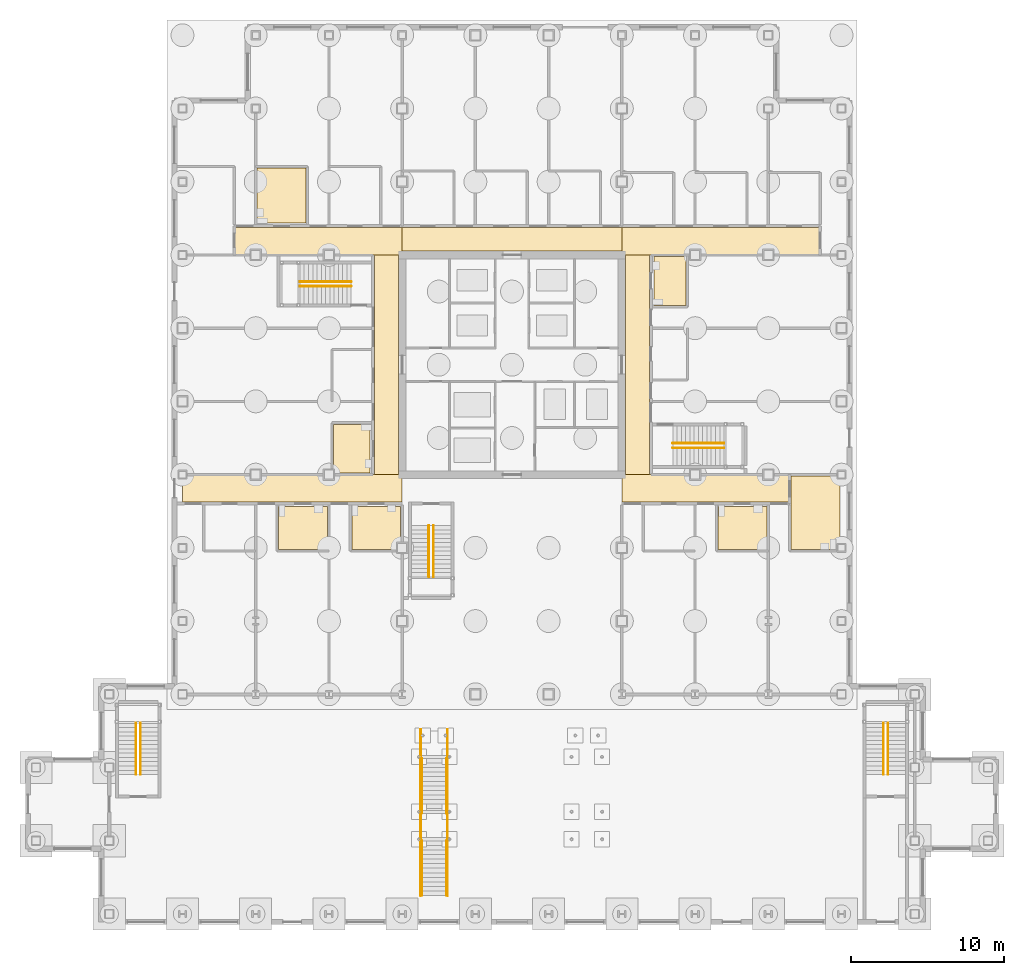
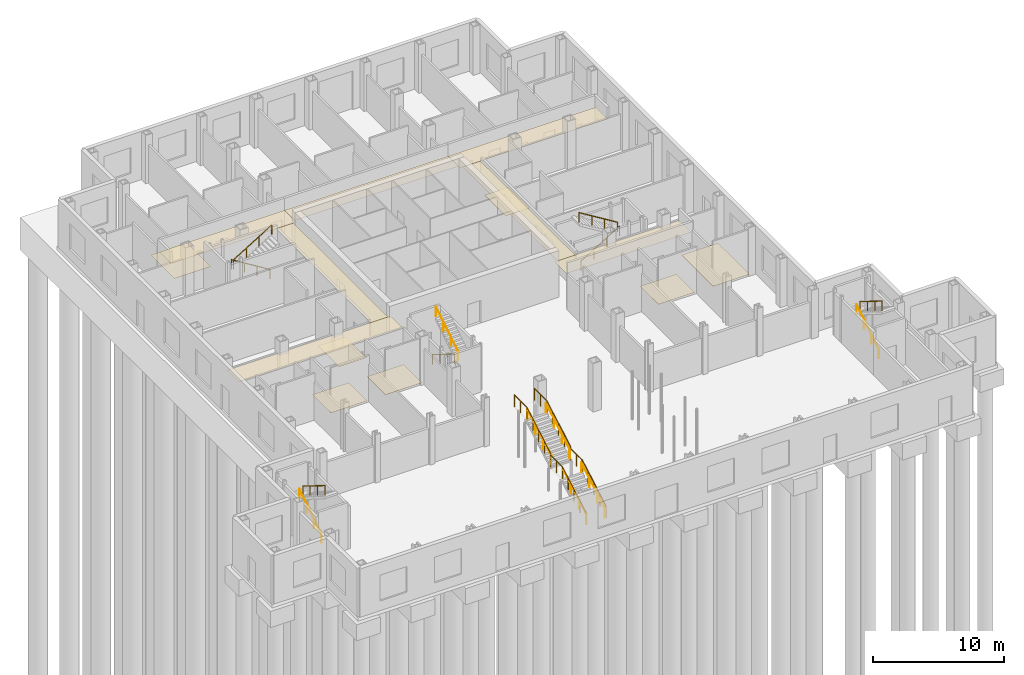
# One storey, part 20 of 22: 22 railings, 14 coverings.
"""IFC4 building model written with IfcOpenShell, lengths in metres."""

import ifcopenshell
import ifcopenshell.guid

model = None  # the IFC model being written
_history = None  # IfcOwnerHistory: only IFC2X3 demands one
_inside = {}  # id of a spatial element -> (the spatial element, [elements in it])
_under = {}  # id of a project, library or spatial element -> (it, [spatial elements below it])
_declared = {}  # id of a project -> (the project, [libraries it declares])
_typed = {}  # id of a type object -> (the type object, [elements of that type])
_made_of = {}  # id of a material, layer set ... -> (it, [elements and type objects made of it])


def new_model(schema):
    """Start an empty IFC model of exactly this schema.

    Asked for "IFC4X3", IfcOpenShell would pick the latest addendum, in which some entities
    have other attributes; the version numbers below select the first issue.
    IFC2X3 requires an IfcOwnerHistory on every rooted entity: one is made here for all.
    """
    global model, _history
    if schema == "IFC4X3":
        model = ifcopenshell.file(schema_version=(4, 3, 0, 0))
    else:
        model = ifcopenshell.file(schema=schema)
    _inside.clear()
    _under.clear()
    _declared.clear()
    _typed.clear()
    _made_of.clear()
    _history = None
    if model.schema == "IFC2X3":
        org = make("IfcOrganization", Name="unknown")
        user = make(
            "IfcPersonAndOrganization",
            ThePerson=make("IfcPerson", FamilyName="unknown"),
            TheOrganization=org,
        )
        app = make(
            "IfcApplication",
            ApplicationDeveloper=org,
            Version="unknown",
            ApplicationFullName="unknown",
            ApplicationIdentifier="unknown",
        )
        _history = make(
            "IfcOwnerHistory",
            OwningUser=user,
            OwningApplication=app,
            ChangeAction="ADDED",
            CreationDate=0,
        )
    return model


def make(cls, **values):
    """One entity of the class cls with the attributes given. An attribute that is None is left unset."""
    return model.create_entity(
        cls, **{name: value for name, value in values.items() if value is not None}
    )


def rooted(cls, **values):
    """An entity with a GlobalId (a new one), such as an element, a storey or a relation."""
    return make(cls, GlobalId=ifcopenshell.guid.new(), OwnerHistory=_history, **values)


def si_unit(unit_type, name, prefix=None):
    """IfcSIUnit, for example si_unit("LENGTHUNIT", "METRE", prefix="MILLI")."""
    return make("IfcSIUnit", UnitType=unit_type, Prefix=prefix, Name=name)


def assignment(units):
    """IfcUnitAssignment: the units of a project."""
    return None if units is None else make("IfcUnitAssignment", Units=units)


def point(xyz):
    """IfcCartesianPoint."""
    return None if xyz is None else make("IfcCartesianPoint", Coordinates=xyz)


def direction(xyz):
    """IfcDirection."""
    return None if xyz is None else make("IfcDirection", DirectionRatios=xyz)


def frame(location, z_axis=None, x_axis=None):
    """IfcAxis2Placement3D, a coordinate frame: its origin and axes. An axis left out is left unset."""
    return make(
        "IfcAxis2Placement3D",
        Location=point(location),
        Axis=direction(z_axis),
        RefDirection=direction(x_axis),
    )


def frame_2d(location, x_axis=None):
    """IfcAxis2Placement2D, a coordinate frame in the plane: its origin and x axis."""
    return make(
        "IfcAxis2Placement2D", Location=point(location), RefDirection=direction(x_axis)
    )


def origin():
    """The frame at (0, 0, 0) with its axes left unset."""
    return frame((0.0, 0.0, 0.0))


def origin_2d():
    """The frame at (0, 0) in the plane with its x axis left unset."""
    return frame_2d((0.0, 0.0))


def place(relative_to, where):
    """IfcLocalPlacement: puts the frame where relative to a parent placement (None: the world)."""
    return make(
        "IfcLocalPlacement", PlacementRelTo=relative_to, RelativePlacement=where
    )


def context(
    kind, dimensions, precision=None, world=None, true_north=None, identifier=None
):
    """IfcGeometricRepresentationContext, for example the 3D "Model" context."""
    return make(
        "IfcGeometricRepresentationContext",
        ContextIdentifier=identifier,
        ContextType=kind,
        CoordinateSpaceDimension=dimensions,
        Precision=precision,
        WorldCoordinateSystem=world,
        TrueNorth=true_north,
    )


def subcontext(parent, identifier, kind, view, scale=None):
    """IfcGeometricRepresentationSubContext, for example "Body" below "Model"."""
    return make(
        "IfcGeometricRepresentationSubContext",
        ContextIdentifier=identifier,
        ContextType=kind,
        ParentContext=parent,
        TargetScale=scale,
        TargetView=view,
    )


def project(units=None, contexts=None):
    """IfcProject with its units and contexts."""
    return rooted(
        "IfcProject",
        Name="project",
        RepresentationContexts=contexts,
        UnitsInContext=assignment(units),
    )


def spatial(cls, under=None, at=None, **own):
    """A site, building, storey or space (cls), placed at a placement, below another one or the project."""
    s = rooted(cls, ObjectPlacement=at, **own)
    if under is not None:
        _under.setdefault(under.id(), (under, []))[1].append(s)
    return s


def polyline(points):
    """IfcPolyline through the points."""
    return make("IfcPolyline", Points=[point(p) for p in points])


def profile(cls, at=None, kind="AREA", **sizes):
    """A parametric profile (cls). Its sizes go by their IFC names, for example OverallWidth=200.0."""
    return make(cls, ProfileType=kind, Position=at, **sizes)


def circle(**sizes):
    """IfcCircleProfileDef."""
    return profile("IfcCircleProfileDef", **sizes)


def outline(outer, holes=None, kind="AREA"):
    """IfcArbitraryClosedProfileDef: a profile drawn as a closed curve; with holes, ...WithVoids."""
    if holes is None:
        return make("IfcArbitraryClosedProfileDef", ProfileType=kind, OuterCurve=outer)
    return make(
        "IfcArbitraryProfileDefWithVoids",
        ProfileType=kind,
        OuterCurve=outer,
        InnerCurves=holes,
    )


def extrude(swept, where, along, depth):
    """IfcExtrudedAreaSolid: the profile swept, set in the frame where, extruded along a direction by depth."""
    return make(
        "IfcExtrudedAreaSolid",
        SweptArea=swept,
        Position=where,
        ExtrudedDirection=direction(along),
        Depth=depth,
    )


def shape(context_of_items, identifier, shape_type, items):
    """IfcShapeRepresentation: the items that make up one representation, for example the "Body"."""
    return make(
        "IfcShapeRepresentation",
        ContextOfItems=context_of_items,
        RepresentationIdentifier=identifier,
        RepresentationType=shape_type,
        Items=items,
    )


def material(Name=None, Category=None):
    """IfcMaterial."""
    return make("IfcMaterial", Name=Name, Category=Category)


def layer(
    of_material, thickness, ventilated=None, Name=None, Category=None, Priority=None
):
    """IfcMaterialLayer: one layer of a wall or slab, of a material (None: an air gap)."""
    return make(
        "IfcMaterialLayer",
        Material=of_material,
        LayerThickness=thickness,
        IsVentilated=ventilated,
        Name=Name,
        Category=Category,
        Priority=Priority,
    )


def layer_set(layers, Name=None):
    """IfcMaterialLayerSet."""
    return make("IfcMaterialLayerSet", MaterialLayers=layers, LayerSetName=Name)


def made_of(thing, what):
    """Note that an element or type object is made of a material, layer set ...; save() writes the relation."""
    if what is not None:
        _made_of.setdefault(what.id(), (what, []))[1].append(thing)
    return thing


def type_object(cls, material=None, **own):
    """A type object (cls), such as IfcWallType, which elements share."""
    return made_of(rooted(cls, **own), material)


def element(
    cls,
    number,
    at=None,
    inside=None,
    cuts=None,
    type_object=None,
    material=None,
    context=None,
    identifier="Body",
    shape_type=None,
    held_by="IfcProductDefinitionShape",
    body=None,
    shapes=None,
    **own,
):
    """One element of the class cls, such as IfcWall. Its Tag is "e" and its number.

    at: its placement. inside: the storey or other place that contains it. cuts: it is an
    opening in that element (IfcRelVoidsElement). A single representation is given by context,
    identifier, shape_type and body (its items); several are given by shapes. held_by: the class
    of the entity that holds the representations. save() writes the other relations.
    """
    e = rooted(cls, Tag="e%d" % number, ObjectPlacement=at, **own)
    if body is not None:
        shapes = [shape(context, identifier, shape_type, body)]
    if shapes is not None:
        e.Representation = make(held_by, Representations=shapes)
    if inside is not None:
        _inside.setdefault(inside.id(), (inside, []))[1].append(e)
    if cuts is not None:
        rooted(
            "IfcRelVoidsElement", RelatingBuildingElement=cuts, RelatedOpeningElement=e
        )
    if type_object is not None:
        _typed.setdefault(type_object.id(), (type_object, []))[1].append(e)
    return made_of(e, material)


def aggregate(whole, parts):
    """IfcRelAggregates: a whole, such as a stair, and the parts it consists of."""
    return rooted("IfcRelAggregates", RelatingObject=whole, RelatedObjects=parts)


def save(model, path):
    """Write the relations noted so far, then the file.

    IfcRelAggregates (storeys below a building ...), IfcRelContainedInSpatialStructure (elements
    in a storey), IfcRelDefinesByType, IfcRelAssociatesMaterial and IfcRelDeclares: one each for
    every whole, place, type object, material and project.
    """
    for whole, parts in _under.values():
        aggregate(whole, parts)
    for where, things in _inside.values():
        rooted(
            "IfcRelContainedInSpatialStructure",
            RelatedElements=things,
            RelatingStructure=where,
        )
    for kind, things in _typed.values():
        rooted("IfcRelDefinesByType", RelatedObjects=things, RelatingType=kind)
    for what, things in _made_of.values():
        rooted("IfcRelAssociatesMaterial", RelatedObjects=things, RelatingMaterial=what)
    for by, libraries in _declared.values():
        rooted("IfcRelDeclares", RelatingContext=by, RelatedDefinitions=libraries)
    model.write(path)


model = new_model("IFC4")

# Units and contexts
model_context = context("Model", 3, precision=1e-05, world=origin(), true_north=direction((0.0, 1.0)))
body_context = subcontext(model_context, "Body", "Model", "MODEL_VIEW")
ifc_project = project(units=[si_unit("LENGTHUNIT", "METRE"), si_unit("AREAUNIT", "SQUARE_METRE"), si_unit("VOLUMEUNIT", "CUBIC_METRE"), si_unit("PLANEANGLEUNIT", "RADIAN"), si_unit("MASSUNIT", "GRAM", prefix="KILO")], contexts=[model_context])

# Site, building, storey
site_placement = place(None, origin())
site = spatial("IfcSite", under=ifc_project, at=site_placement, CompositionType="ELEMENT")
building_placement = place(site_placement, origin())
building = spatial("IfcBuilding", under=site, at=building_placement, Name="Kvirike Care Tower", CompositionType="ELEMENT")
storey_placement = place(building_placement, origin())
storey = spatial("IfcBuildingStorey", under=building, at=storey_placement, Name="L00", CompositionType="ELEMENT", Elevation=0.0)

# Railings
ifc_material_1 = material(Name="Laminated toughened glass balustrade with bronze-finish top rail", Category="glass")
railing_type_1 = type_object("IfcRailingType", Name="ATRIUM GLASS BALUSTRADE 1100", PredefinedType="BALUSTRADE", material=ifc_material_1)
railing_1_placement = place(storey_placement, frame((15.625, 1.199951171875, 0.173095703125)))
element("IfcRailing", 1, at=railing_1_placement, inside=storey, type_object=railing_type_1, Name="Feature stair FA glass balustrade flight 1 west", PredefinedType="BALUSTRADE", context=body_context, shape_type="SweptSolid", body=[
    extrude(circle(Radius=0.02392578125, at=origin_2d()), frame((0.0, 0.0, 1.076171875), z_axis=(0.0, 0.866193409371, 0.499708892819), x_axis=(-1.0, 0.0, 0.0)), (0.0, 0.0, 1.0), 4.15625),
    extrude(circle(Radius=0.02099609375, at=origin_2d()), origin(), (0.0, 0.0, 1.0), 1.052001953125),
    extrude(circle(Radius=0.02099609375, at=origin_2d()), frame((0.0, 0.89990234375, 0.519287109375)), (0.0, 0.0, 1.0), 1.052001953125),
    extrude(circle(Radius=0.02099609375, at=origin_2d()), frame((0.0, 1.800048828125, 1.03857421875)), (0.0, 0.0, 1.0), 1.052001953125),
    extrude(circle(Radius=0.02099609375, at=origin_2d()), frame((0.0, 2.7001953125, 1.5576171875)), (0.0, 0.0, 1.0), 1.052001953125),
    extrude(circle(Radius=0.02099609375, at=origin_2d()), frame((0.0, 3.60009765625, 2.076904296875)), (0.0, 0.0, 1.0), 1.052001953125),
])
railing_2_placement = place(storey_placement, frame((15.625, 4.800048828125, 2.25)))
element("IfcRailing", 2, at=railing_2_placement, inside=storey, type_object=railing_type_1, Name="Feature stair FA glass balustrade landing west", PredefinedType="BALUSTRADE", context=body_context, shape_type="SweptSolid", body=[
    extrude(circle(Radius=0.02392578125, at=origin_2d()), frame((0.0, 0.0, 1.076171875), z_axis=(0.0, 1.0, 0.0), x_axis=(-1.0, 0.0, 0.0)), (0.0, 0.0, 1.0), 1.800048828125),
    extrude(circle(Radius=0.02099609375, at=origin_2d()), origin(), (0.0, 0.0, 1.0), 1.052001953125),
    extrude(circle(Radius=0.02099609375, at=origin_2d()), frame((0.0, 0.89990234375, 0.0)), (0.0, 0.0, 1.0), 1.052001953125),
    extrude(circle(Radius=0.02099609375, at=origin_2d()), frame((0.0, 1.800048828125, 0.0)), (0.0, 0.0, 1.0), 1.052001953125),
])
railing_3_placement = place(storey_placement, frame((15.625, 6.60009765625, 2.423095703125)))
element("IfcRailing", 3, at=railing_3_placement, inside=storey, type_object=railing_type_1, Name="Feature stair FA glass balustrade flight 2 west", PredefinedType="BALUSTRADE", context=body_context, shape_type="SweptSolid", body=[
    extrude(circle(Radius=0.02392578125, at=origin_2d()), frame((0.0, 0.0, 1.076171875), z_axis=(0.0, 0.866178740119, 0.499734319579), x_axis=(-1.0, 0.0, 0.0)), (0.0, 0.0, 1.0), 4.156005859375),
    extrude(circle(Radius=0.02099609375, at=origin_2d()), origin(), (0.0, 0.0, 1.0), 1.052001953125),
    extrude(circle(Radius=0.02099609375, at=origin_2d()), frame((0.0, 0.89990234375, 0.519287109375)), (0.0, 0.0, 1.0), 1.052001953125),
    extrude(circle(Radius=0.02099609375, at=origin_2d()), frame((0.0, 1.7998046875, 1.03857421875)), (0.0, 0.0, 1.0), 1.052001953125),
    extrude(circle(Radius=0.02099609375, at=origin_2d()), frame((0.0, 2.699951171875, 1.5576171875)), (0.0, 0.0, 1.0), 1.052001953125),
    extrude(circle(Radius=0.02099609375, at=origin_2d()), frame((0.0, 3.599853515625, 2.076904296875)), (0.0, 0.0, 1.0), 1.052001953125),
])
railing_4_placement = place(storey_placement, frame((15.625, 10.199951171875, 4.5)))
element("IfcRailing", 4, at=railing_4_placement, inside=storey, type_object=railing_type_1, Name="Feature stair FA glass balustrade top landing west", PredefinedType="BALUSTRADE", context=body_context, shape_type="SweptSolid", body=[
    extrude(circle(Radius=0.02392578125, at=origin_2d()), frame((0.0, 0.0, 1.076171875), z_axis=(0.0, 1.0, 0.0), x_axis=(-1.0, 0.0, 0.0)), (0.0, 0.0, 1.0), 1.900146484375),
    extrude(circle(Radius=0.02099609375, at=origin_2d()), origin(), (0.0, 0.0, 1.0), 1.052001953125),
    extrude(circle(Radius=0.02099609375, at=origin_2d()), frame((0.0, 0.9501953125, 0.0)), (0.0, 0.0, 1.0), 1.052001953125),
    extrude(circle(Radius=0.02099609375, at=origin_2d()), frame((0.0, 1.900146484375, 0.0)), (0.0, 0.0, 1.0), 1.052001953125),
])
railing_5_placement = place(storey_placement, frame((17.375, 1.199951171875, 0.173095703125)))
element("IfcRailing", 5, at=railing_5_placement, inside=storey, type_object=railing_type_1, Name="Feature stair FA glass balustrade flight 1 east", PredefinedType="BALUSTRADE", context=body_context, shape_type="SweptSolid", body=[
    extrude(circle(Radius=0.02392578125, at=origin_2d()), frame((0.0, 0.0, 1.076171875), z_axis=(0.0, 0.866193409371, 0.499708892819), x_axis=(-1.0, 0.0, 0.0)), (0.0, 0.0, 1.0), 4.15625),
    extrude(circle(Radius=0.02099609375, at=origin_2d()), origin(), (0.0, 0.0, 1.0), 1.052001953125),
    extrude(circle(Radius=0.02099609375, at=origin_2d()), frame((0.0, 0.89990234375, 0.519287109375)), (0.0, 0.0, 1.0), 1.052001953125),
    extrude(circle(Radius=0.02099609375, at=origin_2d()), frame((0.0, 1.800048828125, 1.03857421875)), (0.0, 0.0, 1.0), 1.052001953125),
    extrude(circle(Radius=0.02099609375, at=origin_2d()), frame((0.0, 2.7001953125, 1.5576171875)), (0.0, 0.0, 1.0), 1.052001953125),
    extrude(circle(Radius=0.02099609375, at=origin_2d()), frame((0.0, 3.60009765625, 2.076904296875)), (0.0, 0.0, 1.0), 1.052001953125),
])
railing_6_placement = place(storey_placement, frame((17.375, 4.800048828125, 2.25)))
element("IfcRailing", 6, at=railing_6_placement, inside=storey, type_object=railing_type_1, Name="Feature stair FA glass balustrade landing east", PredefinedType="BALUSTRADE", context=body_context, shape_type="SweptSolid", body=[
    extrude(circle(Radius=0.02392578125, at=origin_2d()), frame((0.0, 0.0, 1.076171875), z_axis=(0.0, 1.0, 0.0), x_axis=(-1.0, 0.0, 0.0)), (0.0, 0.0, 1.0), 1.800048828125),
    extrude(circle(Radius=0.02099609375, at=origin_2d()), origin(), (0.0, 0.0, 1.0), 1.052001953125),
    extrude(circle(Radius=0.02099609375, at=origin_2d()), frame((0.0, 0.89990234375, 0.0)), (0.0, 0.0, 1.0), 1.052001953125),
    extrude(circle(Radius=0.02099609375, at=origin_2d()), frame((0.0, 1.800048828125, 0.0)), (0.0, 0.0, 1.0), 1.052001953125),
])
railing_7_placement = place(storey_placement, frame((17.375, 6.60009765625, 2.423095703125)))
element("IfcRailing", 7, at=railing_7_placement, inside=storey, type_object=railing_type_1, Name="Feature stair FA glass balustrade flight 2 east", PredefinedType="BALUSTRADE", context=body_context, shape_type="SweptSolid", body=[
    extrude(circle(Radius=0.02392578125, at=origin_2d()), frame((0.0, 0.0, 1.076171875), z_axis=(0.0, 0.866178740119, 0.499734319579), x_axis=(-1.0, 0.0, 0.0)), (0.0, 0.0, 1.0), 4.156005859375),
    extrude(circle(Radius=0.02099609375, at=origin_2d()), origin(), (0.0, 0.0, 1.0), 1.052001953125),
    extrude(circle(Radius=0.02099609375, at=origin_2d()), frame((0.0, 0.89990234375, 0.519287109375)), (0.0, 0.0, 1.0), 1.052001953125),
    extrude(circle(Radius=0.02099609375, at=origin_2d()), frame((0.0, 1.7998046875, 1.03857421875)), (0.0, 0.0, 1.0), 1.052001953125),
    extrude(circle(Radius=0.02099609375, at=origin_2d()), frame((0.0, 2.699951171875, 1.5576171875)), (0.0, 0.0, 1.0), 1.052001953125),
    extrude(circle(Radius=0.02099609375, at=origin_2d()), frame((0.0, 3.599853515625, 2.076904296875)), (0.0, 0.0, 1.0), 1.052001953125),
])
railing_8_placement = place(storey_placement, frame((17.375, 10.199951171875, 4.5)))
element("IfcRailing", 8, at=railing_8_placement, inside=storey, type_object=railing_type_1, Name="Feature stair FA glass balustrade top landing east", PredefinedType="BALUSTRADE", context=body_context, shape_type="SweptSolid", body=[
    extrude(circle(Radius=0.02392578125, at=origin_2d()), frame((0.0, 0.0, 1.076171875), z_axis=(0.0, 1.0, 0.0), x_axis=(-1.0, 0.0, 0.0)), (0.0, 0.0, 1.0), 1.900146484375),
    extrude(circle(Radius=0.02099609375, at=origin_2d()), origin(), (0.0, 0.0, 1.0), 1.052001953125),
    extrude(circle(Radius=0.02099609375, at=origin_2d()), frame((0.0, 0.9501953125, 0.0)), (0.0, 0.0, 1.0), 1.052001953125),
    extrude(circle(Radius=0.02099609375, at=origin_2d()), frame((0.0, 1.900146484375, 0.0)), (0.0, 0.0, 1.0), 1.052001953125),
])

# Coverings
ifc_material_2 = material(Name="Perforated metal ceiling tile", Category="aluminium")
ifc_layer_1 = layer(ifc_material_2, 0.014892578125)
ifc_layer_set_1 = layer_set([ifc_layer_1], Name="CORRIDOR CEILING 15")
covering_type_1 = type_object("IfcCoveringType", Name="CORRIDOR CEILING 15", PredefinedType="CEILING", material=ifc_layer_set_1)
covering_1_placement = place(storey_placement, frame((0.0, 0.0, 3.199951171875)))
element("IfcCovering", 9, at=covering_1_placement, inside=storey, type_object=covering_type_1, Name="Corridor ceiling L00", PredefinedType="CEILING", context=body_context, shape_type="SweptSolid", body=[
    extrude(outline(polyline([(0.0, 27.0), (0.0, 28.800048828125), (14.39990234375, 28.800048828125), (14.39990234375, 27.0), (0.0, 27.0)])), origin(), (0.0, 0.0, 1.0), 0.01513671875),
])
covering_2_placement = place(storey_placement, frame((0.0, 0.0, 3.199951171875)))
element("IfcCovering", 10, at=covering_2_placement, inside=storey, type_object=covering_type_1, Name="Corridor ceiling L00", PredefinedType="CEILING", context=body_context, shape_type="SweptSolid", body=[
    extrude(outline(polyline([(12.60009765625, 43.199951171875), (14.14990234375, 43.199951171875), (14.14990234375, 28.800048828125), (12.60009765625, 28.800048828125), (12.60009765625, 43.199951171875)])), origin(), (0.0, 0.0, 1.0), 0.01513671875),
])
covering_3_placement = place(storey_placement, frame((0.0, 0.0, 3.199951171875)))
element("IfcCovering", 11, at=covering_3_placement, inside=storey, type_object=covering_type_1, Name="Corridor ceiling L00", PredefinedType="CEILING", context=body_context, shape_type="SweptSolid", body=[
    extrude(outline(polyline([(14.39990234375, 43.199951171875), (3.39990234375, 43.199951171875), (3.39990234375, 45.0), (14.39990234375, 45.0), (14.39990234375, 43.199951171875)])), origin(), (0.0, 0.0, 1.0), 0.01513671875),
])
covering_4_placement = place(storey_placement, frame((0.0, 0.0, 3.199951171875)))
element("IfcCovering", 12, at=covering_4_placement, inside=storey, type_object=covering_type_1, Name="Corridor ceiling L00", PredefinedType="CEILING", context=body_context, shape_type="SweptSolid", body=[
    extrude(outline(polyline([(28.800048828125, 45.0), (28.800048828125, 43.449951171875), (14.39990234375, 43.449951171875), (14.39990234375, 45.0), (28.800048828125, 45.0)])), origin(), (0.0, 0.0, 1.0), 0.01513671875),
])
covering_5_placement = place(storey_placement, frame((0.0, 0.0, 3.199951171875)))
element("IfcCovering", 13, at=covering_5_placement, inside=storey, type_object=covering_type_1, Name="Corridor ceiling L00", PredefinedType="CEILING", context=body_context, shape_type="SweptSolid", body=[
    extrude(outline(polyline([(28.800048828125, 28.800048828125), (39.800048828125, 28.800048828125), (39.800048828125, 27.0), (28.800048828125, 27.0), (28.800048828125, 28.800048828125)])), origin(), (0.0, 0.0, 1.0), 0.01513671875),
])
covering_6_placement = place(storey_placement, frame((0.0, 0.0, 3.199951171875)))
element("IfcCovering", 14, at=covering_6_placement, inside=storey, type_object=covering_type_1, Name="Corridor ceiling L00", PredefinedType="CEILING", context=body_context, shape_type="SweptSolid", body=[
    extrude(outline(polyline([(30.60009765625, 28.800048828125), (29.050048828125, 28.800048828125), (29.050048828125, 43.199951171875), (30.60009765625, 43.199951171875), (30.60009765625, 28.800048828125)])), origin(), (0.0, 0.0, 1.0), 0.01513671875),
])
covering_7_placement = place(storey_placement, frame((0.0, 0.0, 3.199951171875)))
element("IfcCovering", 15, at=covering_7_placement, inside=storey, type_object=covering_type_1, Name="Corridor ceiling L00", PredefinedType="CEILING", context=body_context, shape_type="SweptSolid", body=[
    extrude(outline(polyline([(28.800048828125, 43.199951171875), (28.800048828125, 45.0), (41.800048828125, 45.0), (41.800048828125, 43.199951171875), (28.800048828125, 43.199951171875)])), origin(), (0.0, 0.0, 1.0), 0.01513671875),
])

# Railings
ifc_material_3 = material(Name="Stainless steel handrail", Category="steel")
railing_type_2 = type_object("IfcRailingType", Name="STAIR HANDRAIL 900", PredefinedType="HANDRAIL", material=ifc_material_3)
railing_9_placement = place(storey_placement, frame((11.06005859375, 41.449951171875, 0.173095703125)))
element("IfcRailing", 16, at=railing_9_placement, inside=storey, type_object=railing_type_2, Name="Stair 1 handrail L00 flight 1", PredefinedType="HANDRAIL", context=body_context, shape_type="SweptSolid", body=[
    extrude(circle(Radius=0.02490234375, at=origin_2d()), frame((0.0, 0.0, 0.875), z_axis=(-0.850623216509, 0.0, 0.525775754039), x_axis=(0.0, -1.0, 0.0)), (0.0, 0.0, 1.0), 3.9501953125),
    extrude(circle(Radius=0.02001953125, at=origin_2d()), origin(), (0.0, 0.0, 1.0), 0.849853515625),
    extrude(circle(Radius=0.02001953125, at=origin_2d()), frame((-1.1201171875, 0.0, 0.6923828125)), (0.0, 0.0, 1.0), 0.849853515625),
    extrude(circle(Radius=0.02001953125, at=origin_2d()), frame((-2.239990234375, 0.0, 1.384521484375)), (0.0, 0.0, 1.0), 0.849853515625),
    extrude(circle(Radius=0.02001953125, at=origin_2d()), frame((-3.360107421875, 0.0, 2.076904296875)), (0.0, 0.0, 1.0), 0.849853515625),
])
for number, where, name in (
    (17, (7.699951171875, 41.14990234375, 2.423095703125), "Stair 1 handrail L00 flight 2"),
    (18, (32.139892578125, 30.550048828125, 0.173095703125), "Stair 2 handrail L00 flight 1"),
):
    element("IfcRailing", number, at=place(storey_placement, frame(where)), inside=storey, type_object=railing_type_2, Name=name, PredefinedType="HANDRAIL", context=body_context, shape_type="SweptSolid", body=[
        extrude(circle(Radius=0.02490234375, at=origin_2d()), frame((0.0, 0.0, 0.875), z_axis=(0.850623216509, 0.0, 0.525775754039), x_axis=(0.0, 1.0, 0.0)), (0.0, 0.0, 1.0), 3.9501953125),
        extrude(circle(Radius=0.02001953125, at=origin_2d()), origin(), (0.0, 0.0, 1.0), 0.849853515625),
        extrude(circle(Radius=0.02001953125, at=origin_2d()), frame((1.1201171875, 0.0, 0.6923828125)), (0.0, 0.0, 1.0), 0.849853515625),
        extrude(circle(Radius=0.02001953125, at=origin_2d()), frame((2.239990234375, 0.0, 1.384521484375)), (0.0, 0.0, 1.0), 0.849853515625),
        extrude(circle(Radius=0.02001953125, at=origin_2d()), frame((3.360107421875, 0.0, 2.076904296875)), (0.0, 0.0, 1.0), 0.849853515625),
    ])
railing_10_placement = place(storey_placement, frame((35.5, 30.85009765625, 2.423095703125)))
element("IfcRailing", 19, at=railing_10_placement, inside=storey, type_object=railing_type_2, Name="Stair 2 handrail L00 flight 2", PredefinedType="HANDRAIL", context=body_context, shape_type="SweptSolid", body=[
    extrude(circle(Radius=0.02490234375, at=origin_2d()), frame((0.0, 0.0, 0.875), z_axis=(-0.850623216509, 0.0, 0.525775754039), x_axis=(0.0, -1.0, 0.0)), (0.0, 0.0, 1.0), 3.9501953125),
    extrude(circle(Radius=0.02001953125, at=origin_2d()), origin(), (0.0, 0.0, 1.0), 0.849853515625),
    extrude(circle(Radius=0.02001953125, at=origin_2d()), frame((-1.1201171875, 0.0, 0.6923828125)), (0.0, 0.0, 1.0), 0.849853515625),
    extrude(circle(Radius=0.02001953125, at=origin_2d()), frame((-2.239990234375, 0.0, 1.384521484375)), (0.0, 0.0, 1.0), 0.849853515625),
    extrude(circle(Radius=0.02001953125, at=origin_2d()), frame((-3.360107421875, 0.0, 2.076904296875)), (0.0, 0.0, 1.0), 0.849853515625),
])
railing_11_placement = place(storey_placement, frame((-3.050048828125, 9.139892578125, 0.173095703125)))
element("IfcRailing", 20, at=railing_11_placement, inside=storey, type_object=railing_type_2, Name="Stair 3 handrail L00 flight 1", PredefinedType="HANDRAIL", context=body_context, shape_type="SweptSolid", body=[
    extrude(circle(Radius=0.02490234375, at=origin_2d()), frame((0.0, 0.0, 0.875), z_axis=(0.0, 0.850623216509, 0.525775754039), x_axis=(-1.0, 0.0, 0.0)), (0.0, 0.0, 1.0), 3.9501953125),
    extrude(circle(Radius=0.02001953125, at=origin_2d()), origin(), (0.0, 0.0, 1.0), 0.849853515625),
    extrude(circle(Radius=0.02001953125, at=origin_2d()), frame((0.0, 1.1201171875, 0.6923828125)), (0.0, 0.0, 1.0), 0.849853515625),
    extrude(circle(Radius=0.02001953125, at=origin_2d()), frame((0.0, 2.239990234375, 1.384521484375)), (0.0, 0.0, 1.0), 0.849853515625),
    extrude(circle(Radius=0.02001953125, at=origin_2d()), frame((0.0, 3.360107421875, 2.076904296875)), (0.0, 0.0, 1.0), 0.849853515625),
])
railing_12_placement = place(storey_placement, frame((-2.75, 12.5, 2.423095703125)))
element("IfcRailing", 21, at=railing_12_placement, inside=storey, type_object=railing_type_2, Name="Stair 3 handrail L00 flight 2", PredefinedType="HANDRAIL", context=body_context, shape_type="SweptSolid", body=[
    extrude(circle(Radius=0.02490234375, at=origin_2d()), frame((0.0, 0.0, 0.875), z_axis=(0.0, -0.850623216509, 0.525775754039), x_axis=(1.0, 0.0, 0.0)), (0.0, 0.0, 1.0), 3.9501953125),
    extrude(circle(Radius=0.02001953125, at=origin_2d()), origin(), (0.0, 0.0, 1.0), 0.849853515625),
    extrude(circle(Radius=0.02001953125, at=origin_2d()), frame((0.0, -1.1201171875, 0.6923828125)), (0.0, 0.0, 1.0), 0.849853515625),
    extrude(circle(Radius=0.02001953125, at=origin_2d()), frame((0.0, -2.239990234375, 1.384521484375)), (0.0, 0.0, 1.0), 0.849853515625),
    extrude(circle(Radius=0.02001953125, at=origin_2d()), frame((0.0, -3.360107421875, 2.076904296875)), (0.0, 0.0, 1.0), 0.849853515625),
])
railing_13_placement = place(storey_placement, frame((45.949951171875, 9.139892578125, 0.173095703125)))
element("IfcRailing", 22, at=railing_13_placement, inside=storey, type_object=railing_type_2, Name="Stair 4 handrail L00 flight 1", PredefinedType="HANDRAIL", context=body_context, shape_type="SweptSolid", body=[
    extrude(circle(Radius=0.02490234375, at=origin_2d()), frame((0.0, 0.0, 0.875), z_axis=(0.0, 0.850623216509, 0.525775754039), x_axis=(-1.0, 0.0, 0.0)), (0.0, 0.0, 1.0), 3.9501953125),
    extrude(circle(Radius=0.02001953125, at=origin_2d()), origin(), (0.0, 0.0, 1.0), 0.849853515625),
    extrude(circle(Radius=0.02001953125, at=origin_2d()), frame((0.0, 1.1201171875, 0.6923828125)), (0.0, 0.0, 1.0), 0.849853515625),
    extrude(circle(Radius=0.02001953125, at=origin_2d()), frame((0.0, 2.239990234375, 1.384521484375)), (0.0, 0.0, 1.0), 0.849853515625),
    extrude(circle(Radius=0.02001953125, at=origin_2d()), frame((0.0, 3.360107421875, 2.076904296875)), (0.0, 0.0, 1.0), 0.849853515625),
])
railing_14_placement = place(storey_placement, frame((46.25, 12.5, 2.423095703125)))
element("IfcRailing", 23, at=railing_14_placement, inside=storey, type_object=railing_type_2, Name="Stair 4 handrail L00 flight 2", PredefinedType="HANDRAIL", context=body_context, shape_type="SweptSolid", body=[
    extrude(circle(Radius=0.02490234375, at=origin_2d()), frame((0.0, 0.0, 0.875), z_axis=(0.0, -0.850623216509, 0.525775754039), x_axis=(1.0, 0.0, 0.0)), (0.0, 0.0, 1.0), 3.9501953125),
    extrude(circle(Radius=0.02001953125, at=origin_2d()), origin(), (0.0, 0.0, 1.0), 0.849853515625),
    extrude(circle(Radius=0.02001953125, at=origin_2d()), frame((0.0, -1.1201171875, 0.6923828125)), (0.0, 0.0, 1.0), 0.849853515625),
    extrude(circle(Radius=0.02001953125, at=origin_2d()), frame((0.0, -2.239990234375, 1.384521484375)), (0.0, 0.0, 1.0), 0.849853515625),
    extrude(circle(Radius=0.02001953125, at=origin_2d()), frame((0.0, -3.360107421875, 2.076904296875)), (0.0, 0.0, 1.0), 0.849853515625),
])
railing_15_placement = place(storey_placement, frame((16.14990234375, 25.4599609375, 0.173095703125)))
element("IfcRailing", 24, at=railing_15_placement, inside=storey, type_object=railing_type_2, Name="Stair 5 handrail L00 flight 1", PredefinedType="HANDRAIL", context=body_context, shape_type="SweptSolid", body=[
    extrude(circle(Radius=0.02490234375, at=origin_2d()), frame((0.0, 0.0, 0.875), z_axis=(0.0, -0.850606129759, 0.525803396734), x_axis=(1.0, 0.0, 0.0)), (0.0, 0.0, 1.0), 3.949951171875),
    extrude(circle(Radius=0.02001953125, at=origin_2d()), origin(), (0.0, 0.0, 1.0), 0.849853515625),
    extrude(circle(Radius=0.02001953125, at=origin_2d()), frame((0.0, -1.119873046875, 0.6923828125)), (0.0, 0.0, 1.0), 0.849853515625),
    extrude(circle(Radius=0.02001953125, at=origin_2d()), frame((0.0, -2.239990234375, 1.384521484375)), (0.0, 0.0, 1.0), 0.849853515625),
    extrude(circle(Radius=0.02001953125, at=origin_2d()), frame((0.0, -3.35986328125, 2.076904296875)), (0.0, 0.0, 1.0), 0.849853515625),
])
railing_16_placement = place(storey_placement, frame((16.449951171875, 22.10009765625, 2.423095703125)))
element("IfcRailing", 25, at=railing_16_placement, inside=storey, type_object=railing_type_2, Name="Stair 5 handrail L00 flight 2", PredefinedType="HANDRAIL", context=body_context, shape_type="SweptSolid", body=[
    extrude(circle(Radius=0.02490234375, at=origin_2d()), frame((0.0, 0.0, 0.875), z_axis=(0.0, 0.850606129759, 0.525803396734), x_axis=(-1.0, 0.0, 0.0)), (0.0, 0.0, 1.0), 3.949951171875),
    extrude(circle(Radius=0.02001953125, at=origin_2d()), origin(), (0.0, 0.0, 1.0), 0.849853515625),
    extrude(circle(Radius=0.02001953125, at=origin_2d()), frame((0.0, 1.119873046875, 0.6923828125)), (0.0, 0.0, 1.0), 0.849853515625),
    extrude(circle(Radius=0.02001953125, at=origin_2d()), frame((0.0, 2.239990234375, 1.384521484375)), (0.0, 0.0, 1.0), 0.849853515625),
    extrude(circle(Radius=0.02001953125, at=origin_2d()), frame((0.0, 3.35986328125, 2.076904296875)), (0.0, 0.0, 1.0), 0.849853515625),
])
railing_17_placement = place(storey_placement, frame((15.68505859375, 1.199951171875, 0.173095703125)))
element("IfcRailing", 26, at=railing_17_placement, inside=storey, type_object=railing_type_2, Name="Feature stair FA handrail flight 1 west", PredefinedType="HANDRAIL", context=body_context, shape_type="SweptSolid", body=[
    extrude(circle(Radius=0.02490234375, at=origin_2d()), frame((0.0, 0.0, 0.875), z_axis=(0.0, 0.866193409371, 0.499708892819), x_axis=(-1.0, 0.0, 0.0)), (0.0, 0.0, 1.0), 4.15625),
    extrude(circle(Radius=0.02001953125, at=origin_2d()), origin(), (0.0, 0.0, 1.0), 0.849853515625),
    extrude(circle(Radius=0.02001953125, at=origin_2d()), frame((0.0, 1.199951171875, 0.6923828125)), (0.0, 0.0, 1.0), 0.849853515625),
    extrude(circle(Radius=0.02001953125, at=origin_2d()), frame((0.0, 2.400146484375, 1.384521484375)), (0.0, 0.0, 1.0), 0.849853515625),
    extrude(circle(Radius=0.02001953125, at=origin_2d()), frame((0.0, 3.60009765625, 2.076904296875)), (0.0, 0.0, 1.0), 0.849853515625),
])
railing_18_placement = place(storey_placement, frame((15.68505859375, 6.60009765625, 2.423095703125)))
element("IfcRailing", 27, at=railing_18_placement, inside=storey, type_object=railing_type_2, Name="Feature stair FA handrail flight 2 west", PredefinedType="HANDRAIL", context=body_context, shape_type="SweptSolid", body=[
    extrude(circle(Radius=0.02490234375, at=origin_2d()), frame((0.0, 0.0, 0.875), z_axis=(0.0, 0.866178740119, 0.499734319579), x_axis=(-1.0, 0.0, 0.0)), (0.0, 0.0, 1.0), 4.156005859375),
    extrude(circle(Radius=0.02001953125, at=origin_2d()), origin(), (0.0, 0.0, 1.0), 0.849853515625),
    extrude(circle(Radius=0.02001953125, at=origin_2d()), frame((0.0, 1.199951171875, 0.6923828125)), (0.0, 0.0, 1.0), 0.849853515625),
    extrude(circle(Radius=0.02001953125, at=origin_2d()), frame((0.0, 2.39990234375, 1.384521484375)), (0.0, 0.0, 1.0), 0.849853515625),
    extrude(circle(Radius=0.02001953125, at=origin_2d()), frame((0.0, 3.599853515625, 2.076904296875)), (0.0, 0.0, 1.0), 0.849853515625),
])
railing_19_placement = place(storey_placement, frame((17.31494140625, 1.199951171875, 0.173095703125)))
element("IfcRailing", 28, at=railing_19_placement, inside=storey, type_object=railing_type_2, Name="Feature stair FA handrail flight 1 east", PredefinedType="HANDRAIL", context=body_context, shape_type="SweptSolid", body=[
    extrude(circle(Radius=0.02490234375, at=origin_2d()), frame((0.0, 0.0, 0.875), z_axis=(0.0, 0.866193409371, 0.499708892819), x_axis=(-1.0, 0.0, 0.0)), (0.0, 0.0, 1.0), 4.15625),
    extrude(circle(Radius=0.02001953125, at=origin_2d()), origin(), (0.0, 0.0, 1.0), 0.849853515625),
    extrude(circle(Radius=0.02001953125, at=origin_2d()), frame((0.0, 1.199951171875, 0.6923828125)), (0.0, 0.0, 1.0), 0.849853515625),
    extrude(circle(Radius=0.02001953125, at=origin_2d()), frame((0.0, 2.400146484375, 1.384521484375)), (0.0, 0.0, 1.0), 0.849853515625),
    extrude(circle(Radius=0.02001953125, at=origin_2d()), frame((0.0, 3.60009765625, 2.076904296875)), (0.0, 0.0, 1.0), 0.849853515625),
])
railing_20_placement = place(storey_placement, frame((17.31494140625, 6.60009765625, 2.423095703125)))
element("IfcRailing", 29, at=railing_20_placement, inside=storey, type_object=railing_type_2, Name="Feature stair FA handrail flight 2 east", PredefinedType="HANDRAIL", context=body_context, shape_type="SweptSolid", body=[
    extrude(circle(Radius=0.02490234375, at=origin_2d()), frame((0.0, 0.0, 0.875), z_axis=(0.0, 0.866178740119, 0.499734319579), x_axis=(-1.0, 0.0, 0.0)), (0.0, 0.0, 1.0), 4.156005859375),
    extrude(circle(Radius=0.02001953125, at=origin_2d()), origin(), (0.0, 0.0, 1.0), 0.849853515625),
    extrude(circle(Radius=0.02001953125, at=origin_2d()), frame((0.0, 1.199951171875, 0.6923828125)), (0.0, 0.0, 1.0), 0.849853515625),
    extrude(circle(Radius=0.02001953125, at=origin_2d()), frame((0.0, 2.39990234375, 1.384521484375)), (0.0, 0.0, 1.0), 0.849853515625),
    extrude(circle(Radius=0.02001953125, at=origin_2d()), frame((0.0, 3.599853515625, 2.076904296875)), (0.0, 0.0, 1.0), 0.849853515625),
])

# Coverings
ifc_material_4 = material(Name="Slip-resistant vinyl safety flooring on screed")
ifc_layer_2 = layer(ifc_material_4, 0.02001953125)
ifc_layer_set_2 = layer_set([ifc_layer_2], Name="WET ROOM FLOOR 20")
covering_type_2 = type_object("IfcCoveringType", Name="WET ROOM FLOOR 20", PredefinedType="FLOORING", material=ifc_layer_set_2)
covering_8_placement = place(storey_placement, origin())
element("IfcCovering", 30, at=covering_8_placement, inside=storey, type_object=covering_type_2, Name="Accessible WC floor L00-006", PredefinedType="FLOORING", context=body_context, shape_type="SweptSolid", body=[
    extrude(outline(polyline([(6.300048828125, 26.699951171875), (9.5, 26.699951171875), (9.5, 23.89990234375), (6.300048828125, 23.89990234375), (6.300048828125, 26.699951171875)])), origin(), (0.0, 0.0, 1.0), 0.02001953125),
])
covering_9_placement = place(storey_placement, origin())
element("IfcCovering", 31, at=covering_9_placement, inside=storey, type_object=covering_type_2, Name="Staff WC floor L00-007", PredefinedType="FLOORING", context=body_context, shape_type="SweptSolid", body=[
    extrude(outline(polyline([(11.10009765625, 26.699951171875), (14.300048828125, 26.699951171875), (14.300048828125, 23.89990234375), (11.10009765625, 23.89990234375), (11.10009765625, 26.699951171875)])), origin(), (0.0, 0.0, 1.0), 0.02001953125),
])
covering_10_placement = place(storey_placement, origin())
element("IfcCovering", 32, at=covering_10_placement, inside=storey, type_object=covering_type_2, Name="Staff WC floor L00-014", PredefinedType="FLOORING", context=body_context, shape_type="SweptSolid", body=[
    extrude(outline(polyline([(12.300048828125, 32.10009765625), (12.300048828125, 28.89990234375), (9.89990234375, 28.89990234375), (9.89990234375, 32.10009765625), (12.300048828125, 32.10009765625)])), origin(), (0.0, 0.0, 1.0), 0.02001953125),
])
covering_11_placement = place(storey_placement, origin())
element("IfcCovering", 33, at=covering_11_placement, inside=storey, type_object=covering_type_2, Name="Staff WC floor L00-020", PredefinedType="FLOORING", context=body_context, shape_type="SweptSolid", body=[
    extrude(outline(polyline([(8.10009765625, 45.300048828125), (4.89990234375, 45.300048828125), (4.89990234375, 48.89990234375), (8.10009765625, 48.89990234375), (8.10009765625, 45.300048828125)])), origin(), (0.0, 0.0, 1.0), 0.02001953125),
])
covering_12_placement = place(storey_placement, origin())
element("IfcCovering", 34, at=covering_12_placement, inside=storey, type_object=covering_type_2, Name="Accessible WC floor L00-036", PredefinedType="FLOORING", context=body_context, shape_type="SweptSolid", body=[
    extrude(outline(polyline([(35.10009765625, 26.699951171875), (38.300048828125, 26.699951171875), (38.300048828125, 23.89990234375), (35.10009765625, 23.89990234375), (35.10009765625, 26.699951171875)])), origin(), (0.0, 0.0, 1.0), 0.02001953125),
])
covering_13_placement = place(storey_placement, origin())
element("IfcCovering", 35, at=covering_13_placement, inside=storey, type_object=covering_type_2, Name="Staff WC floor L00-037", PredefinedType="FLOORING", context=body_context, shape_type="SweptSolid", body=[
    extrude(outline(polyline([(43.10009765625, 23.89990234375), (39.89990234375, 23.89990234375), (39.89990234375, 28.699951171875), (43.10009765625, 28.699951171875), (43.10009765625, 23.89990234375)])), origin(), (0.0, 0.0, 1.0), 0.02001953125),
])
covering_14_placement = place(storey_placement, origin())
element("IfcCovering", 36, at=covering_14_placement, inside=storey, type_object=covering_type_2, Name="Staff WC floor L00-044", PredefinedType="FLOORING", context=body_context, shape_type="SweptSolid", body=[
    extrude(outline(polyline([(30.89990234375, 39.89990234375), (30.89990234375, 43.10009765625), (33.0, 43.10009765625), (33.0, 39.89990234375), (30.89990234375, 39.89990234375)])), origin(), (0.0, 0.0, 1.0), 0.02001953125),
])

save(model, "model.ifc")
